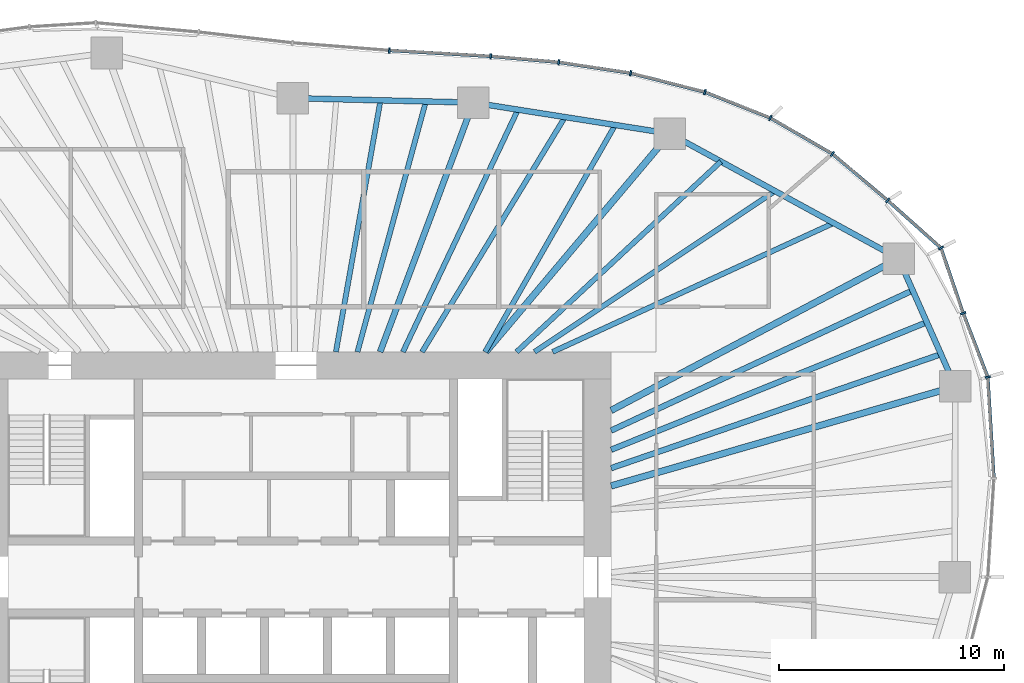
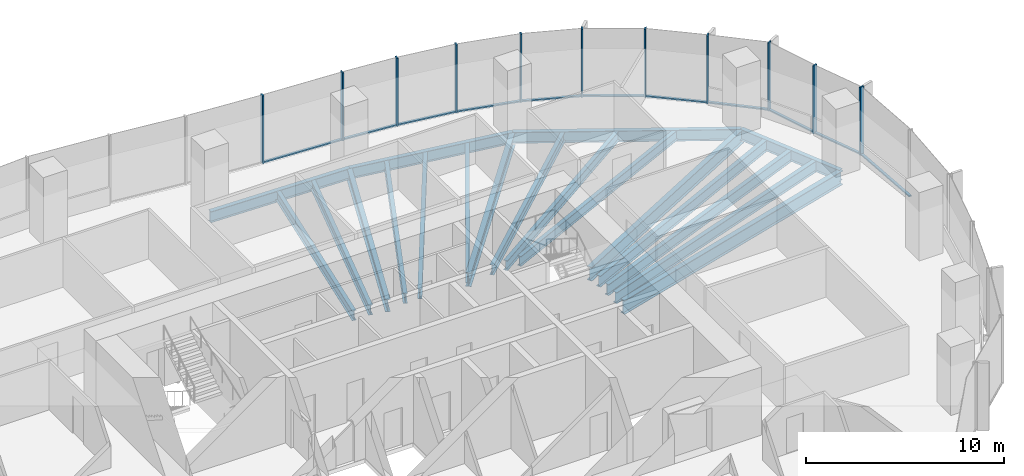
# One storey, part 6 of 18: 22 members, 19 beams, 5 elements without a shape of their own.
"""IFC4 building model written with IfcOpenShell, lengths in metres."""

from ifc_helpers import new_model, si_unit, direction, frame, origin, origin_2d, place, context, subcontext, project, spatial, rectangle, i_section, extrude, material, material_profile, profile_set, type_object, element, aggregate, save


model = new_model("IFC4")

# Units and contexts
model_context = context("Model", 3, precision=1e-05, world=origin(), true_north=direction((0.0, 1.0)))
body_context = subcontext(model_context, "Body", "Model", "MODEL_VIEW")
ifc_project = project(units=[si_unit("LENGTHUNIT", "METRE"), si_unit("AREAUNIT", "SQUARE_METRE"), si_unit("VOLUMEUNIT", "CUBIC_METRE"), si_unit("PLANEANGLEUNIT", "RADIAN"), si_unit("MASSUNIT", "GRAM", prefix="KILO")], contexts=[model_context])

# Site, building, storey
site_placement = place(None, origin())
site = spatial("IfcSite", under=ifc_project, at=site_placement, CompositionType="ELEMENT")
building_placement = place(site_placement, origin())
building = spatial("IfcBuilding", under=site, at=building_placement, Name="Ghaith Harvest Tower", CompositionType="ELEMENT")
storey_placement = place(building_placement, frame((0.0, 0.0, 163.800048828125)))
storey = spatial("IfcBuildingStorey", under=building, at=storey_placement, Name="L35", CompositionType="ELEMENT", Elevation=163.800048828125)

# Curtain wall, members
ifc_material_1 = material(Name="Black anodised aluminium and fritted glass", Category="aluminium")
curtain_wall_type = type_object("IfcCurtainWallType", Name="CW-L CURTAIN WALL", PredefinedType="NOTDEFINED", material=ifc_material_1)
curtain_wall_1_placement = place(storey_placement, origin())
curtain_wall_1 = element("IfcCurtainWall", 1, at=curtain_wall_1_placement, inside=storey, type_object=curtain_wall_type, Name="Curtain wall CW-L bay 02 L35", PredefinedType="NOTDEFINED")
ifc_material_2 = material(Name="Aluminium, black anodised", Category="aluminium")
ifc_material_profile_1 = material_profile(ifc_material_2, rectangle(XDim=0.080078125, YDim=0.239990234375, at=origin_2d()), Name="CW-L MULLION 80x240")
ifc_profile_set_1 = profile_set([ifc_material_profile_1], Name="Aluminium, black anodised")
member_type_1 = type_object("IfcMemberType", Name="CW-L MULLION 80x240", PredefinedType="MULLION", material=ifc_profile_set_1)
member_1_placement = place(storey_placement, frame((30.727294921875, 8.880859375, 0.0), z_axis=(0.0, 0.0, 1.0), x_axis=(-0.183070248196, 0.983099834313, 0.0)))
member_1 = element("IfcMember", 2, at=member_1_placement, type_object=member_type_1, Name="CW-L mullion 1 bay 02 L35", PredefinedType="MULLION", context=body_context, shape_type="SweptSolid", body=[
    extrude(rectangle(XDim=0.080078125, YDim=0.239990234375, at=origin_2d()), origin(), (0.0, 0.0, 1.0), 4.199951171875),
])
member_2_placement = place(storey_placement, frame((29.634521484375, 11.7158203125, 0.0), z_axis=(0.0, 0.0, 1.0), x_axis=(-0.340771198528, 0.940146260033, 0.0)))
member_2 = element("IfcMember", 3, at=member_2_placement, type_object=member_type_1, Name="CW-L mullion 2 bay 02 L35", PredefinedType="MULLION", context=body_context, shape_type="SweptSolid", body=[
    extrude(rectangle(XDim=0.080078125, YDim=0.239990234375, at=origin_2d()), origin(), (0.0, 0.0, 1.0), 4.199951171875),
])
member_3_placement = place(storey_placement, frame((28.64990234375, 14.61181640625, 0.0), z_axis=(0.0, 0.0, 1.0), x_axis=(-0.556324287652, 0.830965274225, 0.0)))
member_3 = element("IfcMember", 4, at=member_3_placement, type_object=member_type_1, Name="CW-L mullion 3 bay 02 L35", PredefinedType="MULLION", context=body_context, shape_type="SweptSolid", body=[
    extrude(rectangle(XDim=0.080078125, YDim=0.239990234375, at=origin_2d()), origin(), (0.0, 0.0, 1.0), 4.199951171875),
])

curtain_wall_2_placement = place(storey_placement, origin())
curtain_wall_2 = element("IfcCurtainWall", 5, at=curtain_wall_2_placement, inside=storey, type_object=curtain_wall_type, Name="Curtain wall CW-L bay 03 L35", PredefinedType="NOTDEFINED")
member_4_placement = place(storey_placement, frame((26.28076171875, 16.725341796875, 0.0), z_axis=(0.0, 0.0, 1.0), x_axis=(-0.755999423268, 0.654572281737, 0.0)))
member_4 = element("IfcMember", 6, at=member_4_placement, type_object=member_type_1, Name="CW-L mullion 1 bay 03 L35", PredefinedType="MULLION", context=body_context, shape_type="SweptSolid", body=[
    extrude(rectangle(XDim=0.080078125, YDim=0.239990234375, at=origin_2d()), origin(), (0.0, 0.0, 1.0), 4.199951171875),
])
member_5_placement = place(storey_placement, frame((23.82177734375, 18.792236328125, 0.0), z_axis=(0.0, 0.0, 1.0), x_axis=(-0.818228862146, 0.574892624018, 0.0)))
member_5 = element("IfcMember", 7, at=member_5_placement, type_object=member_type_1, Name="CW-L mullion 2 bay 03 L35", PredefinedType="MULLION", context=body_context, shape_type="SweptSolid", body=[
    extrude(rectangle(XDim=0.080078125, YDim=0.239990234375, at=origin_2d()), origin(), (0.0, 0.0, 1.0), 4.199951171875),
])
member_6_placement = place(storey_placement, frame((21.066162109375, 20.38916015625, 0.0), z_axis=(0.0, 0.0, 1.0), x_axis=(-0.899713343282, 0.436481270985, 0.0)))
member_6 = element("IfcMember", 8, at=member_6_placement, type_object=member_type_1, Name="CW-L mullion 3 bay 03 L35", PredefinedType="MULLION", context=body_context, shape_type="SweptSolid", body=[
    extrude(rectangle(XDim=0.080078125, YDim=0.239990234375, at=origin_2d()), origin(), (0.0, 0.0, 1.0), 4.199951171875),
])

curtain_wall_3_placement = place(storey_placement, origin())
curtain_wall_3 = element("IfcCurtainWall", 9, at=curtain_wall_3_placement, inside=storey, type_object=curtain_wall_type, Name="Curtain wall CW-L bay 04 L35", PredefinedType="NOTDEFINED")
member_7_placement = place(storey_placement, frame((18.162353515625, 21.537841796875, 0.0), z_axis=(0.0, 0.0, 1.0), x_axis=(-0.952152258113, 0.30562407852, 0.0)))
member_7 = element("IfcMember", 10, at=member_7_placement, type_object=member_type_1, Name="CW-L mullion 1 bay 04 L35", PredefinedType="MULLION", context=body_context, shape_type="SweptSolid", body=[
    extrude(rectangle(XDim=0.080078125, YDim=0.239990234375, at=origin_2d()), origin(), (0.0, 0.0, 1.0), 4.199951171875),
])
member_8_placement = place(storey_placement, frame((14.86474609375, 22.379638671875, 0.0), z_axis=(0.0, 0.0, 1.0), x_axis=(-0.979751952122, 0.200215165041, 0.0)))
member_8 = element("IfcMember", 11, at=member_8_placement, type_object=member_type_1, Name="CW-L mullion 2 bay 04 L35", PredefinedType="MULLION", context=body_context, shape_type="SweptSolid", body=[
    extrude(rectangle(XDim=0.080078125, YDim=0.239990234375, at=origin_2d()), origin(), (0.0, 0.0, 1.0), 4.199951171875),
])
member_9_placement = place(storey_placement, frame((11.672607421875, 22.864013671875, 0.0), z_axis=(0.0, 0.0, 1.0), x_axis=(-0.992800497873, 0.119779678673, 0.0)))
member_9 = element("IfcMember", 12, at=member_9_placement, type_object=member_type_1, Name="CW-L mullion 3 bay 04 L35", PredefinedType="MULLION", context=body_context, shape_type="SweptSolid", body=[
    extrude(rectangle(XDim=0.080078125, YDim=0.239990234375, at=origin_2d()), origin(), (0.0, 0.0, 1.0), 4.199951171875),
])

curtain_wall_4_placement = place(storey_placement, origin())
curtain_wall_4 = element("IfcCurtainWall", 13, at=curtain_wall_4_placement, inside=storey, type_object=curtain_wall_type, Name="Curtain wall CW-L bay 05 L35", PredefinedType="NOTDEFINED")
member_10_placement = place(storey_placement, frame((8.646728515625, 23.1298828125, 0.0), z_axis=(0.0, 0.0, 1.0), x_axis=(-0.997558767319, 0.069831982257, 0.0)))
member_10 = element("IfcMember", 14, at=member_10_placement, type_object=member_type_1, Name="CW-L mullion 1 bay 05 L35", PredefinedType="MULLION", context=body_context, shape_type="SweptSolid", body=[
    extrude(rectangle(XDim=0.080078125, YDim=0.239990234375, at=origin_2d()), origin(), (0.0, 0.0, 1.0), 4.199951171875),
])
member_11_placement = place(storey_placement, frame((4.146728515625, 23.390869140625, 0.0), z_axis=(0.0, 0.0, 1.0), x_axis=(-0.997689895047, 0.067932858925, 0.0)))
member_11 = element("IfcMember", 15, at=member_11_placement, type_object=member_type_1, Name="CW-L mullion 2 bay 05 L35", PredefinedType="MULLION", context=body_context, shape_type="SweptSolid", body=[
    extrude(rectangle(XDim=0.080078125, YDim=0.239990234375, at=origin_2d()), origin(), (0.0, 0.0, 1.0), 4.199951171875),
])

# Curtain wall, member
curtain_wall_5_placement = place(storey_placement, origin())
curtain_wall_5 = element("IfcCurtainWall", 16, at=curtain_wall_5_placement, inside=storey, type_object=curtain_wall_type, Name="Curtain wall CW-L bay 01 L35", PredefinedType="NOTDEFINED")
ifc_material_3 = material(Name="Aluminium, black anodised", Category="aluminium")
ifc_material_profile_2 = material_profile(ifc_material_3, rectangle(XDim=0.14990234375, YDim=0.080078125, at=origin_2d()), Name="CW-L TRANSOM 150x80")
ifc_profile_set_2 = profile_set([ifc_material_profile_2], Name="Aluminium, black anodised")
member_type_2 = type_object("IfcMemberType", Name="CW-L TRANSOM 150x80", PredefinedType="USERDEFINED", material=ifc_profile_set_2)
member_12_placement = place(storey_placement, frame((30.996337890625, 4.4296875, 0.0400390625), z_axis=(-0.060328261132, 0.99817859169, 0.0), x_axis=(-0.99817859169, -0.060328261132, 0.0)))
member_12 = element("IfcMember", 17, at=member_12_placement, type_object=member_type_2, Name="CW-L transom 2 bay 01 L35", ObjectType="TRANSOM", PredefinedType="USERDEFINED", context=body_context, shape_type="SweptSolid", body=[
    extrude(rectangle(XDim=0.14990234375, YDim=0.080078125, at=origin_2d()), origin(), (0.0, 0.0, 1.0), 4.419189453125),
])
aggregate(curtain_wall_5, [member_12])

# Member
member_13_placement = place(storey_placement, frame((30.712890625, 8.918212890625, 0.0400390625), z_axis=(-0.359637050526, 0.933092274048, 0.0), x_axis=(-0.933092274048, -0.359637050526, 0.0)))
member_13 = element("IfcMember", 18, at=member_13_placement, type_object=member_type_2, Name="CW-L transom 1 bay 02 L35", ObjectType="TRANSOM", PredefinedType="USERDEFINED", context=body_context, shape_type="SweptSolid", body=[
    extrude(rectangle(XDim=0.14990234375, YDim=0.080078125, at=origin_2d()), origin(), (0.0, 0.0, 1.0), 2.95849609375),
])

member_14_placement = place(storey_placement, frame((29.62158203125, 11.75390625, 0.0400390625), z_axis=(-0.321877752664, 0.946781237847, 0.0), x_axis=(-0.946781237847, -0.321877752664, 0.0)))
member_14 = element("IfcMember", 19, at=member_14_placement, type_object=member_type_2, Name="CW-L transom 2 bay 02 L35", ObjectType="TRANSOM", PredefinedType="USERDEFINED", context=body_context, shape_type="SweptSolid", body=[
    extrude(rectangle(XDim=0.14990234375, YDim=0.080078125, at=origin_2d()), origin(), (0.0, 0.0, 1.0), 2.978515625),
])

member_15_placement = place(storey_placement, frame((28.6201171875, 14.638427734375, 0.0400390625), z_axis=(-0.74622871112, 0.665689650438, 0.0), x_axis=(-0.665689650438, -0.74622871112, 0.0)))
member_15 = element("IfcMember", 20, at=member_15_placement, type_object=member_type_2, Name="CW-L transom 3 bay 02 L35", ObjectType="TRANSOM", PredefinedType="USERDEFINED", context=body_context, shape_type="SweptSolid", body=[
    extrude(rectangle(XDim=0.14990234375, YDim=0.080078125, at=origin_2d()), origin(), (0.0, 0.0, 1.0), 3.094970703125),
])

aggregate(curtain_wall_1, [member_1, member_13, member_2, member_14, member_3, member_15])

member_16_placement = place(storey_placement, frame((26.25, 16.7509765625, 0.0400390625), z_axis=(-0.765428400685, 0.643521066808, 0.0), x_axis=(-0.643521066808, -0.765428400685, 0.0)))
member_16 = element("IfcMember", 21, at=member_16_placement, type_object=member_type_2, Name="CW-L transom 1 bay 03 L35", ObjectType="TRANSOM", PredefinedType="USERDEFINED", context=body_context, shape_type="SweptSolid", body=[
    extrude(rectangle(XDim=0.14990234375, YDim=0.080078125, at=origin_2d()), origin(), (0.0, 0.0, 1.0), 3.132080078125),
])

member_17_placement = place(storey_placement, frame((23.787353515625, 18.812255859375, 0.0400390625), z_axis=(-0.865212673937, 0.50140505468, 0.0), x_axis=(-0.50140505468, -0.865212673937, 0.0)))
member_17 = element("IfcMember", 22, at=member_17_placement, type_object=member_type_2, Name="CW-L transom 2 bay 03 L35", ObjectType="TRANSOM", PredefinedType="USERDEFINED", context=body_context, shape_type="SweptSolid", body=[
    extrude(rectangle(XDim=0.14990234375, YDim=0.080078125, at=origin_2d()), origin(), (0.0, 0.0, 1.0), 3.10498046875),
])

member_18_placement = place(storey_placement, frame((21.029052734375, 20.40380859375, 0.0400390625), z_axis=(-0.929880954826, 0.367860584804, 0.0), x_axis=(-0.367860584804, -0.929880954826, 0.0)))
member_18 = element("IfcMember", 23, at=member_18_placement, type_object=member_type_2, Name="CW-L transom 3 bay 03 L35", ObjectType="TRANSOM", PredefinedType="USERDEFINED", context=body_context, shape_type="SweptSolid", body=[
    extrude(rectangle(XDim=0.14990234375, YDim=0.080078125, at=origin_2d()), origin(), (0.0, 0.0, 1.0), 3.04296875),
])

aggregate(curtain_wall_2, [member_4, member_16, member_5, member_17, member_6, member_18])

member_19_placement = place(storey_placement, frame((18.12353515625, 21.5478515625, 0.0400390625), z_axis=(-0.968942433805, 0.247286392614, 0.0), x_axis=(-0.247286392614, -0.968942433805, 0.0)))
member_19 = element("IfcMember", 24, at=member_19_placement, type_object=member_type_2, Name="CW-L transom 1 bay 04 L35", ObjectType="TRANSOM", PredefinedType="USERDEFINED", context=body_context, shape_type="SweptSolid", body=[
    extrude(rectangle(XDim=0.14990234375, YDim=0.080078125, at=origin_2d()), origin(), (0.0, 0.0, 1.0), 3.3232421875),
])

member_20_placement = place(storey_placement, frame((14.8251953125, 22.3857421875, 0.0400390625), z_axis=(-0.988680676153, 0.150035064572, 0.0), x_axis=(-0.150035064572, -0.988680676153, 0.0)))
member_20 = element("IfcMember", 25, at=member_20_placement, type_object=member_type_2, Name="CW-L transom 2 bay 04 L35", ObjectType="TRANSOM", PredefinedType="USERDEFINED", context=body_context, shape_type="SweptSolid", body=[
    extrude(rectangle(XDim=0.14990234375, YDim=0.080078125, at=origin_2d()), origin(), (0.0, 0.0, 1.0), 3.148681640625),
])

member_21_placement = place(storey_placement, frame((11.632568359375, 22.86767578125, 0.0400390625), z_axis=(-0.996171193061, 0.087423990507, 0.0), x_axis=(-0.087423990507, -0.996171193061, 0.0)))
member_21 = element("IfcMember", 26, at=member_21_placement, type_object=member_type_2, Name="CW-L transom 3 bay 04 L35", ObjectType="TRANSOM", PredefinedType="USERDEFINED", context=body_context, shape_type="SweptSolid", body=[
    extrude(rectangle(XDim=0.14990234375, YDim=0.080078125, at=origin_2d()), origin(), (0.0, 0.0, 1.0), 2.957275390625),
])

aggregate(curtain_wall_3, [member_7, member_19, member_8, member_20, member_9, member_21])

member_22_placement = place(storey_placement, frame((8.60693359375, 23.132080078125, 0.0400390625), z_axis=(-0.998319515187, 0.057949509028, 0.0), x_axis=(-0.057949509028, -0.998319515187, 0.0)))
member_22 = element("IfcMember", 27, at=member_22_placement, type_object=member_type_2, Name="CW-L transom 1 bay 05 L35", ObjectType="TRANSOM", PredefinedType="USERDEFINED", context=body_context, shape_type="SweptSolid", body=[
    extrude(rectangle(XDim=0.14990234375, YDim=0.080078125, at=origin_2d()), origin(), (0.0, 0.0, 1.0), 4.427734375),
])

aggregate(curtain_wall_4, [member_10, member_22, member_11])

# Beams
ifc_material_4 = material(Name="Steel ASTM A992 Grade 50", Category="steel")
ifc_material_profile_3 = material_profile(ifc_material_4, i_section(OverallWidth=0.25390625, OverallDepth=0.68408203125, WebThickness=0.012451171875, FlangeThickness=0.018798828125, at=origin_2d()), Name="W690X140")
ifc_profile_set_3 = profile_set([ifc_material_profile_3], Name="Steel ASTM A992 Grade 50")
beam_type_1 = type_object("IfcBeamType", Name="E690-140 W690X140", PredefinedType="SPANDREL", material=ifc_profile_set_3)
beam_1_placement = place(storey_placement, frame((29.285888671875, 8.464111328125, -0.511962890625), z_axis=(-0.405635615749, 0.914034872002, 0.0), x_axis=(-0.914034872002, -0.405635615749, 0.0)))
element("IfcBeam", 28, at=beam_1_placement, inside=storey, type_object=beam_type_1, Name="Edge beam E02 L35", PredefinedType="SPANDREL", context=body_context, shape_type="SweptSolid", body=[
    extrude(i_section(OverallWidth=0.25390625, OverallDepth=0.68408203125, WebThickness=0.012451171875, FlangeThickness=0.018798828125, at=origin_2d()), origin(), (0.0, 0.0, 1.0), 6.21728515625),
])
beam_2_placement = place(storey_placement, frame((26.763916015625, 14.14697265625, -0.511962890625), z_axis=(-0.877588218279, 0.479415184509, 0.0), x_axis=(-0.479415184509, -0.877588218279, 0.0)))
element("IfcBeam", 29, at=beam_2_placement, inside=storey, type_object=beam_type_1, Name="Edge beam E03 L35", PredefinedType="SPANDREL", context=body_context, shape_type="SweptSolid", body=[
    extrude(i_section(OverallWidth=0.25390625, OverallDepth=0.68408203125, WebThickness=0.012451171875, FlangeThickness=0.018798828125, at=origin_2d()), origin(), (0.0, 0.0, 1.0), 11.57275390625),
])
beam_3_placement = place(storey_placement, frame((16.60791015625, 19.695068359375, -0.511962890625), z_axis=(-0.987788485872, 0.155800857439, 0.0), x_axis=(-0.155800857439, -0.987788485872, 0.0)))
element("IfcBeam", 30, at=beam_3_placement, inside=storey, type_object=beam_type_1, Name="Edge beam E04 L35", PredefinedType="SPANDREL", context=body_context, shape_type="SweptSolid", body=[
    extrude(i_section(OverallWidth=0.25390625, OverallDepth=0.68408203125, WebThickness=0.012451171875, FlangeThickness=0.018798828125, at=origin_2d()), origin(), (0.0, 0.0, 1.0), 8.837890625),
])
beam_4_placement = place(storey_placement, frame((7.8779296875, 21.072021484375, -0.511962890625), z_axis=(-0.999692679676, 0.024790042413, 0.0), x_axis=(-0.024790042413, -0.999692679676, 0.0)))
element("IfcBeam", 31, at=beam_4_placement, inside=storey, type_object=beam_type_1, Name="Edge beam E05 L35", PredefinedType="SPANDREL", context=body_context, shape_type="SweptSolid", body=[
    extrude(i_section(OverallWidth=0.25390625, OverallDepth=0.68408203125, WebThickness=0.012451171875, FlangeThickness=0.018798828125, at=origin_2d()), origin(), (0.0, 0.0, 1.0), 8.0263671875),
])
ifc_material_5 = material(Name="Steel ASTM A992 Grade 50", Category="steel")
ifc_material_profile_4 = material_profile(ifc_material_5, i_section(OverallWidth=0.26806640625, OverallDepth=0.77001953125, WebThickness=0.015625, FlangeThickness=0.025390625, at=origin_2d()), Name="W760X196")
ifc_profile_set_4 = profile_set([ifc_material_profile_4], Name="Steel ASTM A992 Grade 50")
beam_type_2 = type_object("IfcBeamType", Name="G760-196 W760X196", PredefinedType="BEAM", material=ifc_profile_set_4)
beam_5_placement = place(storey_placement, frame((3.73828125, 10.0, -0.554931640625), z_axis=(0.350206582147, 0.936672488024, 0.0), x_axis=(-0.936672488024, 0.350206582147, 0.0)))
element("IfcBeam", 32, at=beam_5_placement, inside=storey, type_object=beam_type_2, Name="Radial girder G05 L35", PredefinedType="BEAM", context=body_context, shape_type="SweptSolid", body=[
    extrude(i_section(OverallWidth=0.26806640625, OverallDepth=0.77001953125, WebThickness=0.015625, FlangeThickness=0.025390625, at=origin_2d()), origin(), (0.0, 0.0, 1.0), 11.820556640625),
])
ifc_material_6 = material(Name="Steel ASTM A992 Grade 50", Category="steel")
ifc_material_profile_5 = material_profile(ifc_material_6, i_section(OverallWidth=0.2939453125, OverallDepth=0.85107421875, WebThickness=0.01611328125, FlangeThickness=0.02685546875, at=origin_2d()), Name="W840X226")
ifc_profile_set_5 = profile_set([ifc_material_profile_5], Name="Steel ASTM A992 Grade 50")
beam_type_3 = type_object("IfcBeamType", Name="G840-226 W840X226", PredefinedType="BEAM", material=ifc_profile_set_5)
beam_6_placement = place(storey_placement, frame((14.0, 4.04638671875, -0.595458984375), z_axis=(0.960683993303, 0.27764413376, 0.0), x_axis=(-0.27764413376, 0.960683993303, 0.0)))
element("IfcBeam", 33, at=beam_6_placement, inside=storey, type_object=beam_type_3, Name="Radial girder G02 L35", PredefinedType="BEAM", context=body_context, shape_type="SweptSolid", body=[
    extrude(i_section(OverallWidth=0.2939453125, OverallDepth=0.85107421875, WebThickness=0.01611328125, FlangeThickness=0.02685546875, at=origin_2d()), origin(), (0.0, 0.0, 1.0), 15.911376953125),
])
beam_7_placement = place(storey_placement, frame((14.0, 7.39990234375, -0.595458984375), z_axis=(0.884082663971, 0.467330550324, 0.0), x_axis=(-0.467330550324, 0.884082663971, 0.0)))
element("IfcBeam", 34, at=beam_7_placement, inside=storey, type_object=beam_type_3, Name="Radial girder G03 L35", PredefinedType="BEAM", context=body_context, shape_type="SweptSolid", body=[
    extrude(i_section(OverallWidth=0.2939453125, OverallDepth=0.85107421875, WebThickness=0.01611328125, FlangeThickness=0.02685546875, at=origin_2d()), origin(), (0.0, 0.0, 1.0), 14.4375),
])
beam_8_placement = place(storey_placement, frame((8.4326171875, 10.0, -0.595458984375), z_axis=(0.644644245772, 0.764482698557, 0.0), x_axis=(-0.764482698557, 0.644644245772, 0.0)))
element("IfcBeam", 35, at=beam_8_placement, inside=storey, type_object=beam_type_3, Name="Radial girder G04 L35", PredefinedType="BEAM", context=body_context, shape_type="SweptSolid", body=[
    extrude(i_section(OverallWidth=0.2939453125, OverallDepth=0.85107421875, WebThickness=0.01611328125, FlangeThickness=0.02685546875, at=origin_2d()), origin(), (0.0, 0.0, 1.0), 12.681884765625),
])
ifc_material_7 = material(Name="Steel ASTM A992 Grade 50", Category="steel")
ifc_material_profile_6 = material_profile(ifc_material_7, i_section(OverallWidth=0.22900390625, OverallDepth=0.612060546875, WebThickness=0.011962890625, FlangeThickness=0.01953125, at=origin_2d()), Name="W610X125")
ifc_profile_set_6 = profile_set([ifc_material_profile_6], Name="Steel ASTM A992 Grade 50")
beam_type_4 = type_object("IfcBeamType", Name="J610-125 W610X125", PredefinedType="JOIST", material=ifc_profile_set_6)
beam_9_placement = place(storey_placement, frame((11.39990234375, 10.0, -0.47607421875), z_axis=(0.909014022454, 0.416765529983, 0.0), x_axis=(-0.416765529983, 0.909014022454, 0.0)))
element("IfcBeam", 36, at=beam_9_placement, inside=storey, type_object=beam_type_4, Name="Joist J03.1 L35", PredefinedType="JOIST", context=body_context, shape_type="SweptSolid", body=[
    extrude(i_section(OverallWidth=0.22900390625, OverallDepth=0.612060546875, WebThickness=0.011962890625, FlangeThickness=0.01953125, at=origin_2d()), origin(), (0.0, 0.0, 1.0), 13.72998046875),
])
beam_10_placement = place(storey_placement, frame((10.60009765625, 10.0, -0.47607421875), z_axis=(0.831116486766, 0.556098359489, 0.0), x_axis=(-0.556098359489, 0.831116486766, 0.0)))
element("IfcBeam", 37, at=beam_10_placement, inside=storey, type_object=beam_type_4, Name="Joist J03.2 L35", PredefinedType="JOIST", context=body_context, shape_type="SweptSolid", body=[
    extrude(i_section(OverallWidth=0.22900390625, OverallDepth=0.612060546875, WebThickness=0.011962890625, FlangeThickness=0.01953125, at=origin_2d()), origin(), (0.0, 0.0, 1.0), 12.84716796875),
])
beam_11_placement = place(storey_placement, frame((9.800048828125, 10.0, -0.47607421875), z_axis=(0.731538123562, 0.681800538116, 0.0), x_axis=(-0.681800538116, 0.731538123562, 0.0)))
element("IfcBeam", 38, at=beam_11_placement, inside=storey, type_object=beam_type_4, Name="Joist J03.3 L35", PredefinedType="JOIST", context=body_context, shape_type="SweptSolid", body=[
    extrude(i_section(OverallWidth=0.22900390625, OverallDepth=0.612060546875, WebThickness=0.011962890625, FlangeThickness=0.01953125, at=origin_2d()), origin(), (0.0, 0.0, 1.0), 12.404052734375),
])
beam_12_placement = place(storey_placement, frame((8.39990234375, 10.0, -0.47607421875), z_axis=(0.497444212127, 0.867495968764, 0.0), x_axis=(-0.867495968764, 0.497444212127, 0.0)))
element("IfcBeam", 39, at=beam_12_placement, inside=storey, type_object=beam_type_4, Name="Joist J04.1 L35", PredefinedType="JOIST", context=body_context, shape_type="SweptSolid", body=[
    extrude(i_section(OverallWidth=0.22900390625, OverallDepth=0.612060546875, WebThickness=0.011962890625, FlangeThickness=0.01953125, at=origin_2d()), origin(), (0.0, 0.0, 1.0), 11.617431640625),
])
beam_13_placement = place(storey_placement, frame((5.60009765625, 10.0, -0.47607421875), z_axis=(0.519863845761, 0.854249133374, 0.0), x_axis=(-0.854249133374, 0.519863845761, 0.0)))
element("IfcBeam", 40, at=beam_13_placement, inside=storey, type_object=beam_type_4, Name="Joist J04.2 L35", PredefinedType="JOIST", context=body_context, shape_type="SweptSolid", body=[
    extrude(i_section(OverallWidth=0.22900390625, OverallDepth=0.612060546875, WebThickness=0.011962890625, FlangeThickness=0.01953125, at=origin_2d()), origin(), (0.0, 0.0, 1.0), 12.209716796875),
])
beam_14_placement = place(storey_placement, frame((4.75, 10.0, -0.47607421875), z_axis=(0.429069356877, 0.903271546651, 0.0), x_axis=(-0.903271546651, 0.429069356877, 0.0)))
element("IfcBeam", 41, at=beam_14_placement, inside=storey, type_object=beam_type_4, Name="Joist J04.3 L35", PredefinedType="JOIST", context=body_context, shape_type="SweptSolid", body=[
    extrude(i_section(OverallWidth=0.22900390625, OverallDepth=0.612060546875, WebThickness=0.011962890625, FlangeThickness=0.01953125, at=origin_2d()), origin(), (0.0, 0.0, 1.0), 11.911376953125),
])
beam_15_placement = place(storey_placement, frame((2.73095703125, 10.0, -0.47607421875), z_axis=(0.263455967932, 0.964671422279, 0.0), x_axis=(-0.964671422279, 0.263455967932, 0.0)))
element("IfcBeam", 42, at=beam_15_placement, inside=storey, type_object=beam_type_4, Name="Joist J05.1 L35", PredefinedType="JOIST", context=body_context, shape_type="SweptSolid", body=[
    extrude(i_section(OverallWidth=0.22900390625, OverallDepth=0.612060546875, WebThickness=0.011962890625, FlangeThickness=0.01953125, at=origin_2d()), origin(), (0.0, 0.0, 1.0), 11.53173828125),
])
beam_16_placement = place(storey_placement, frame((1.772705078125, 10.0, -0.47607421875), z_axis=(0.17455599258, 0.984647249249, 0.0), x_axis=(-0.984647249249, 0.17455599258, 0.0)))
element("IfcBeam", 43, at=beam_16_placement, inside=storey, type_object=beam_type_4, Name="Joist J05.2 L35", PredefinedType="JOIST", context=body_context, shape_type="SweptSolid", body=[
    extrude(i_section(OverallWidth=0.22900390625, OverallDepth=0.612060546875, WebThickness=0.011962890625, FlangeThickness=0.01953125, at=origin_2d()), origin(), (0.0, 0.0, 1.0), 11.3486328125),
])
ifc_material_8 = material(Name="Steel ASTM A992 Grade 50", Category="steel")
ifc_material_profile_7 = material_profile(ifc_material_8, i_section(OverallWidth=0.25390625, OverallDepth=0.68408203125, WebThickness=0.012451171875, FlangeThickness=0.018798828125, at=origin_2d()), Name="W690X140")
ifc_profile_set_7 = profile_set([ifc_material_profile_7], Name="Steel ASTM A992 Grade 50")
beam_type_5 = type_object("IfcBeamType", Name="J690-140 W690X140", PredefinedType="JOIST", material=ifc_profile_set_7)
beam_17_placement = place(storey_placement, frame((14.0, 4.835693359375, -0.511962890625), z_axis=(0.945204964965, 0.32647752481, 0.0), x_axis=(-0.32647752481, 0.945204964965, 0.0)))
element("IfcBeam", 44, at=beam_17_placement, inside=storey, type_object=beam_type_5, Name="Joist J02.1 L35", PredefinedType="JOIST", context=body_context, shape_type="SweptSolid", body=[
    extrude(i_section(OverallWidth=0.25390625, OverallDepth=0.68408203125, WebThickness=0.012451171875, FlangeThickness=0.018798828125, at=origin_2d()), origin(), (0.0, 0.0, 1.0), 15.499755859375),
])
beam_18_placement = place(storey_placement, frame((14.0, 5.653564453125, -0.511962890625), z_axis=(0.927247874511, 0.374448099495, 0.0), x_axis=(-0.374448099495, 0.927247874511, 0.0)))
element("IfcBeam", 45, at=beam_18_placement, inside=storey, type_object=beam_type_5, Name="Joist J02.2 L35", PredefinedType="JOIST", context=body_context, shape_type="SweptSolid", body=[
    extrude(i_section(OverallWidth=0.25390625, OverallDepth=0.68408203125, WebThickness=0.012451171875, FlangeThickness=0.018798828125, at=origin_2d()), origin(), (0.0, 0.0, 1.0), 15.12060546875),
])
beam_19_placement = place(storey_placement, frame((14.0, 6.506103515625, -0.511962890625), z_axis=(0.906865717917, 0.42141970726, 0.0), x_axis=(-0.42141970726, 0.906865717917, 0.0)))
element("IfcBeam", 46, at=beam_19_placement, inside=storey, type_object=beam_type_5, Name="Joist J02.3 L35", PredefinedType="JOIST", context=body_context, shape_type="SweptSolid", body=[
    extrude(i_section(OverallWidth=0.25390625, OverallDepth=0.68408203125, WebThickness=0.012451171875, FlangeThickness=0.018798828125, at=origin_2d()), origin(), (0.0, 0.0, 1.0), 14.768310546875),
])

save(model, "model.ifc")
